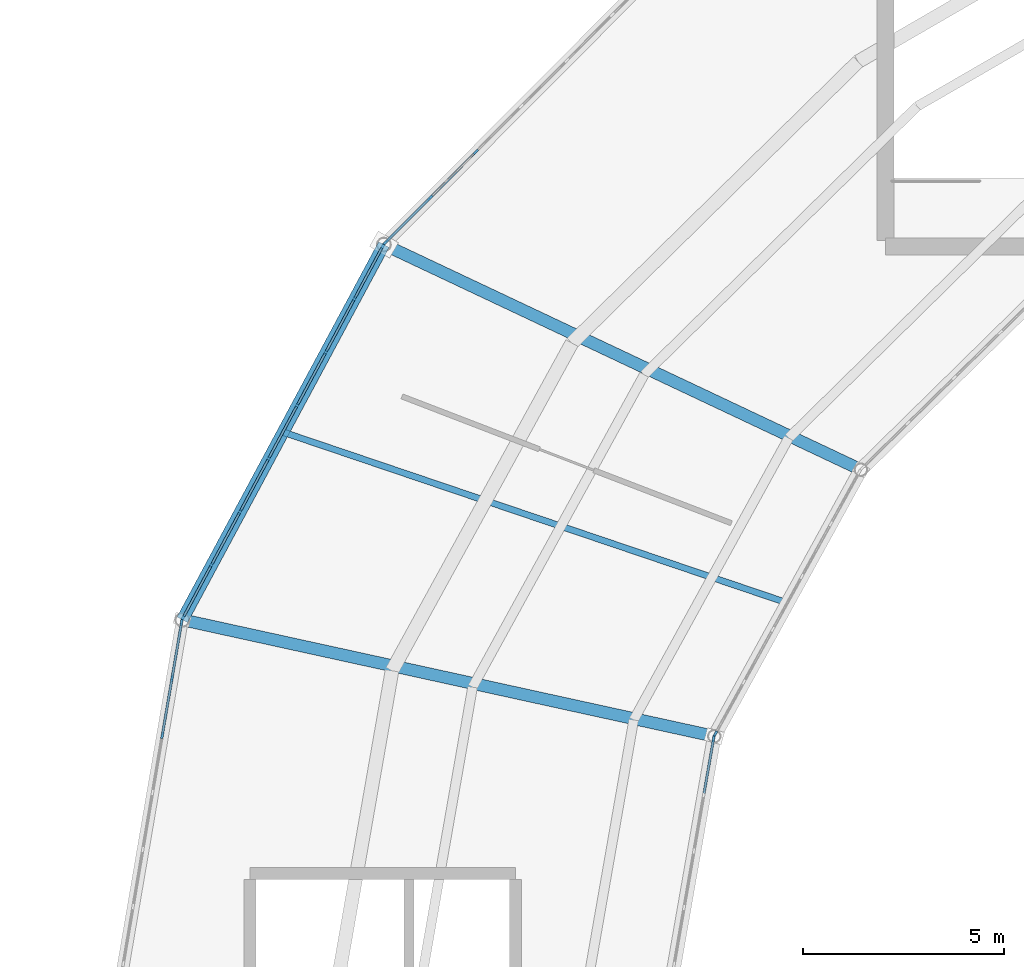
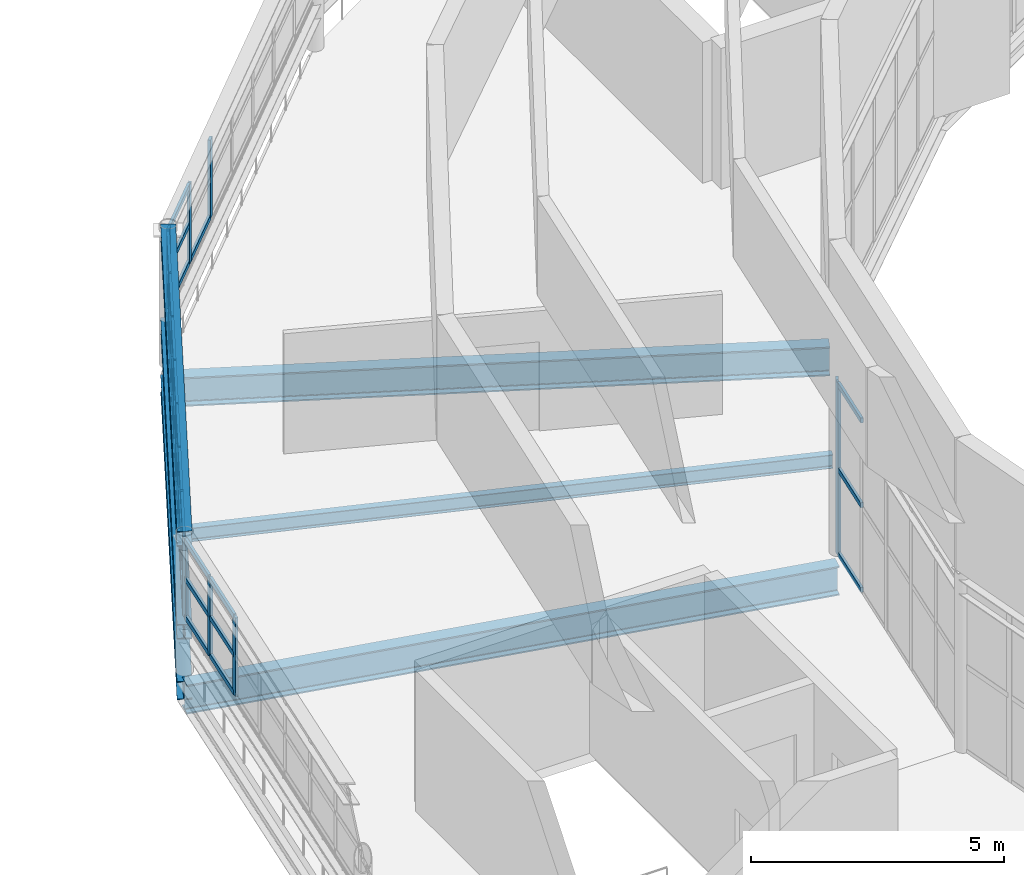
# One storey, part 42 of 123: 50 members, 6 beams, 5 elements without a shape of their own.
"""IFC4 building model written with IfcOpenShell, lengths in metres."""

from ifc_helpers import new_model, si_unit, direction, frame, origin, origin_2d, place, context, subcontext, project, spatial, rectangle, i_section, extrude, material, material_profile, profile_set, type_object, element, aggregate, save


model = new_model("IFC4")

# Units and contexts
model_context = context("Model", 3, precision=1e-05, world=origin(), true_north=direction((0.0, 1.0)))
body_context = subcontext(model_context, "Body", "Model", "MODEL_VIEW")
ifc_project = project(units=[si_unit("LENGTHUNIT", "METRE"), si_unit("AREAUNIT", "SQUARE_METRE"), si_unit("VOLUMEUNIT", "CUBIC_METRE"), si_unit("PLANEANGLEUNIT", "RADIAN"), si_unit("MASSUNIT", "GRAM", prefix="KILO")], contexts=[model_context])

# Site, building, storey
site_placement = place(None, origin())
site = spatial("IfcSite", under=ifc_project, at=site_placement, CompositionType="ELEMENT")
building_placement = place(site_placement, origin())
building = spatial("IfcBuilding", under=site, at=building_placement, Name="Kildeholm Park Wholesale Market", CompositionType="ELEMENT")
storey_placement = place(building_placement, frame((0.0, 0.0, 9.60009765625)))
storey = spatial("IfcBuildingStorey", under=building, at=storey_placement, Name="L02", CompositionType="ELEMENT", Elevation=9.60009765625)

# Beams
ifc_material_1 = material(Name="Steel S355", Category="steel")
ifc_material_profile_1 = material_profile(ifc_material_1, i_section(OverallWidth=0.300048828125, OverallDepth=0.699951171875, WebThickness=0.01708984375, FlangeThickness=0.031982421875, FilletRadius=0.027099609375, at=origin_2d()), Name="HEB 700")
ifc_profile_set_1 = profile_set([ifc_material_profile_1], Name="Steel S355")
beam_type_1 = type_object("IfcBeamType", Name="Beam B-G01 HEB 700", PredefinedType="BEAM", material=ifc_profile_set_1)
beam_1_placement = place(storey_placement, frame((67.389892578125, 103.25, -0.60009765625), z_axis=(-0.904317894242, 0.426859632846, 0.0), x_axis=(-0.426859632846, -0.904317894242, 0.0)))
element("IfcBeam", 1, at=beam_1_placement, inside=storey, type_object=beam_type_1, Name="Beam BM-V1-L02-R1-10 BM-0091", PredefinedType="BEAM", context=body_context, shape_type="SweptSolid", body=[
    extrude(i_section(OverallWidth=0.300048828125, OverallDepth=0.699951171875, WebThickness=0.01708984375, FlangeThickness=0.031982421875, FilletRadius=0.027099609375, at=origin_2d()), origin(), (0.0, 0.0, 1.0), 13.119384765625),
])
beam_2_placement = place(storey_placement, frame((63.743896484375, 96.617919921875, -0.60009765625), z_axis=(-0.976846137752, 0.213943037181, 0.0), x_axis=(-0.213943037181, -0.976846137752, 0.0)))
element("IfcBeam", 2, at=beam_2_placement, inside=storey, type_object=beam_type_1, Name="Beam BM-V1-L02-R1-11 BM-0101", PredefinedType="BEAM", context=body_context, shape_type="SweptSolid", body=[
    extrude(i_section(OverallWidth=0.300048828125, OverallDepth=0.699951171875, WebThickness=0.01708984375, FlangeThickness=0.031982421875, FilletRadius=0.027099609375, at=origin_2d()), origin(), (0.0, 0.0, 1.0), 13.546630859375),
])
ifc_material_profile_2 = material_profile(ifc_material_1, i_section(OverallWidth=0.300048828125, OverallDepth=0.35009765625, WebThickness=0.010009765625, FlangeThickness=0.017578125, FilletRadius=0.027099609375, at=origin_2d()), Name="HEA 360")
ifc_profile_set_2 = profile_set([ifc_material_profile_2], Name="Steel S355")
beam_type_2 = type_object("IfcBeamType", Name="Beam B-R01 HEA 360", PredefinedType="BEAM", material=ifc_profile_set_2)
beam_3_placement = place(storey_placement, frame((55.52587890625, 108.85009765625, 0.94775390625), z_axis=(-0.473287580572, -0.880907978211, 0.0), x_axis=(0.880907978211, -0.473287580572, 0.0)))
element("IfcBeam", 3, at=beam_3_placement, inside=storey, type_object=beam_type_2, Name="Beam BM-V1-S1IN-10 BM-0281", PredefinedType="BEAM", context=body_context, shape_type="SweptSolid", body=[
    extrude(i_section(OverallWidth=0.300048828125, OverallDepth=0.35009765625, WebThickness=0.010009765625, FlangeThickness=0.017578125, FilletRadius=0.027099609375, at=origin_2d()), origin(), (0.0, 0.0, 1.0), 10.595947265625),
])
ifc_material_profile_3 = material_profile(ifc_material_1, i_section(OverallWidth=0.300048828125, OverallDepth=0.43994140625, WebThickness=0.011474609375, FlangeThickness=0.02099609375, FilletRadius=0.027099609375, at=origin_2d()), Name="HEA 450")
ifc_profile_set_3 = profile_set([ifc_material_profile_3], Name="Steel S355")
beam_type_3 = type_object("IfcBeamType", Name="Beam B-R02 HEA 450", PredefinedType="BEAM", material=ifc_profile_set_3)
beam_4_placement = place(storey_placement, frame((55.52587890625, 108.85009765625, -0.47412109375), z_axis=(-0.473287580572, -0.880907978211, 0.0), x_axis=(0.880907978211, -0.473287580572, 0.0)))
element("IfcBeam", 4, at=beam_4_placement, inside=storey, type_object=beam_type_3, Name="Beam BM-V1-L02-CM-10 BM-0097", PredefinedType="BEAM", context=body_context, shape_type="SweptSolid", body=[
    extrude(i_section(OverallWidth=0.300048828125, OverallDepth=0.43994140625, WebThickness=0.011474609375, FlangeThickness=0.02099609375, FilletRadius=0.027099609375, at=origin_2d()), origin(), (0.0, 0.0, 1.0), 10.595947265625),
])
ifc_material_profile_4 = material_profile(ifc_material_1, i_section(OverallWidth=0.300048828125, OverallDepth=0.360107421875, WebThickness=0.012451171875, FlangeThickness=0.0224609375, FilletRadius=0.027099609375, at=origin_2d()), Name="HEB 360")
ifc_profile_set_4 = profile_set([ifc_material_profile_4], Name="Steel S355")
beam_type_4 = type_object("IfcBeamType", Name="Beam B-R03 HEB 360", PredefinedType="BEAM", material=ifc_profile_set_4)
beam_5_placement = place(storey_placement, frame((55.52587890625, 108.85009765625, 3.190673828125), z_axis=(-0.473287580572, -0.880907978211, 0.0), x_axis=(0.880907978211, -0.473287580572, 0.0)))
element("IfcBeam", 5, at=beam_5_placement, inside=storey, type_object=beam_type_4, Name="Beam BM-V1-RF-M1-10 BM-0282", PredefinedType="BEAM", context=body_context, shape_type="SweptSolid", body=[
    extrude(i_section(OverallWidth=0.300048828125, OverallDepth=0.360107421875, WebThickness=0.012451171875, FlangeThickness=0.0224609375, FilletRadius=0.027099609375, at=origin_2d()), origin(), (0.0, 0.0, 1.0), 10.595947265625),
])
ifc_material_profile_5 = material_profile(ifc_material_1, i_section(OverallWidth=0.159912109375, OverallDepth=0.330078125, WebThickness=0.007568359375, FlangeThickness=0.011474609375, FilletRadius=0.01806640625, at=origin_2d()), Name="IPE 330")
ifc_profile_set_5 = profile_set([ifc_material_profile_5], Name="Steel S355")
beam_type_5 = type_object("IfcBeamType", Name="Beam J-03 IPE 330", PredefinedType="JOIST", material=ifc_profile_set_5)
beam_6_placement = place(storey_placement, frame((65.548095703125, 99.9404296875, -0.4150390625), z_axis=(-0.947177362485, 0.320710218103, 0.0), x_axis=(-0.320710218103, -0.947177362485, 0.0)))
element("IfcBeam", 6, at=beam_6_placement, inside=storey, type_object=beam_type_5, Name="Beam JT-V1-L02-10 BM-0099", PredefinedType="JOIST", context=body_context, shape_type="SweptSolid", body=[
    extrude(i_section(OverallWidth=0.159912109375, OverallDepth=0.330078125, WebThickness=0.007568359375, FlangeThickness=0.011474609375, FilletRadius=0.01806640625, at=origin_2d()), origin(), (0.0, 0.0, 1.0), 13.20849609375),
])

# Curtain wall, members
ifc_material_2 = material(Name="Anodised aluminium and low-E double-glazed glass", Category="aluminium")
curtain_wall_type = type_object("IfcCurtainWallType", Name="Clerestory daylight stick curtain wall CW-02", PredefinedType="NOTDEFINED", material=ifc_material_2)
curtain_wall_1_placement = place(storey_placement, origin())
curtain_wall_1 = element("IfcCurtainWall", 7, at=curtain_wall_1_placement, inside=storey, type_object=curtain_wall_type, Name="Curtain wall CW-V1-CL-09 CW-0045", PredefinedType="NOTDEFINED")
ifc_material_3 = material(Name="Anodised aluminium", Category="aluminium")
ifc_material_profile_6 = material_profile(ifc_material_3, rectangle(XDim=0.06005859375, YDim=0.14990234375, at=origin_2d()), Name="CWM 60x150")
ifc_profile_set_6 = profile_set([ifc_material_profile_6], Name="Anodised aluminium")
member_type_1 = type_object("IfcMemberType", Name="Curtain-wall mullion CWM-3 CWM 60x150", PredefinedType="MULLION", material=ifc_profile_set_6)
member_1_placement = place(storey_placement, frame((57.812255859375, 111.155029296875, 1.349853515625), z_axis=(0.0, 0.0, 1.0), x_axis=(0.708796820959, -0.705412692399, 0.0)))
member_1 = element("IfcMember", 8, at=member_1_placement, type_object=member_type_1, Name="CW-02 mullion 6 MEM-1659", PredefinedType="MULLION", context=body_context, shape_type="SweptSolid", body=[
    extrude(rectangle(XDim=0.06005859375, YDim=0.14990234375, at=origin_2d()), origin(), (0.0, 0.0, 1.0), 1.900146484375),
])
member_2_placement = place(storey_placement, frame((56.6806640625, 110.01806640625, 1.349853515625), z_axis=(0.0, 0.0, 1.0), x_axis=(0.708796820959, -0.705412692399, 0.0)))
member_2 = element("IfcMember", 9, at=member_2_placement, type_object=member_type_1, Name="CW-02 mullion 7 MEM-1660", PredefinedType="MULLION", context=body_context, shape_type="SweptSolid", body=[
    extrude(rectangle(XDim=0.06005859375, YDim=0.14990234375, at=origin_2d()), origin(), (0.0, 0.0, 1.0), 1.900146484375),
])
member_3_placement = place(storey_placement, frame((55.570068359375, 108.90234375, 1.349853515625), z_axis=(0.0, 0.0, 1.0), x_axis=(0.708796820959, -0.705412692399, 0.0)))
member_3 = element("IfcMember", 10, at=member_3_placement, type_object=member_type_1, Name="CW-02 mullion 8 MEM-1661", PredefinedType="MULLION", context=body_context, shape_type="SweptSolid", body=[
    extrude(rectangle(XDim=0.06005859375, YDim=0.14990234375, at=origin_2d()), origin(), (0.0, 0.0, 1.0), 1.900146484375),
])

curtain_wall_2_placement = place(storey_placement, origin())
curtain_wall_2 = element("IfcCurtainWall", 11, at=curtain_wall_2_placement, inside=storey, type_object=curtain_wall_type, Name="Curtain wall CW-V1-CL-10 CW-0050", PredefinedType="NOTDEFINED")
member_4_placement = place(storey_placement, frame((55.48681640625, 108.79052734375, 1.349853515625), z_axis=(0.0, 0.0, 1.0), x_axis=(0.880879905062, -0.473339828092, 0.0)))
member_4 = element("IfcMember", 12, at=member_4_placement, type_object=member_type_1, Name="CW-02 mullion 1 MEM-1779", PredefinedType="MULLION", context=body_context, shape_type="SweptSolid", body=[
    extrude(rectangle(XDim=0.06005859375, YDim=0.14990234375, at=origin_2d()), origin(), (0.0, 0.0, 1.0), 1.900146484375),
])
member_5_placement = place(storey_placement, frame((54.789794921875, 107.49365234375, 1.349853515625), z_axis=(0.0, 0.0, 1.0), x_axis=(0.880879905062, -0.473339828092, 0.0)))
member_5 = element("IfcMember", 13, at=member_5_placement, type_object=member_type_1, Name="CW-02 mullion 2 MEM-1780", PredefinedType="MULLION", context=body_context, shape_type="SweptSolid", body=[
    extrude(rectangle(XDim=0.06005859375, YDim=0.14990234375, at=origin_2d()), origin(), (0.0, 0.0, 1.0), 1.900146484375),
])
member_6_placement = place(storey_placement, frame((54.07861328125, 106.170166015625, 1.349853515625), z_axis=(0.0, 0.0, 1.0), x_axis=(0.880879905062, -0.473339828092, 0.0)))
member_6 = element("IfcMember", 14, at=member_6_placement, type_object=member_type_1, Name="CW-02 mullion 3 MEM-1781", PredefinedType="MULLION", context=body_context, shape_type="SweptSolid", body=[
    extrude(rectangle(XDim=0.06005859375, YDim=0.14990234375, at=origin_2d()), origin(), (0.0, 0.0, 1.0), 1.900146484375),
])
member_7_placement = place(storey_placement, frame((53.36767578125, 104.8466796875, 1.349853515625), z_axis=(0.0, 0.0, 1.0), x_axis=(0.880879905062, -0.473339828092, 0.0)))
member_7 = element("IfcMember", 15, at=member_7_placement, type_object=member_type_1, Name="CW-02 mullion 4 MEM-1782", PredefinedType="MULLION", context=body_context, shape_type="SweptSolid", body=[
    extrude(rectangle(XDim=0.06005859375, YDim=0.14990234375, at=origin_2d()), origin(), (0.0, 0.0, 1.0), 1.900146484375),
])
member_8_placement = place(storey_placement, frame((52.656494140625, 103.523193359375, 1.349853515625), z_axis=(0.0, 0.0, 1.0), x_axis=(0.880879905062, -0.473339828092, 0.0)))
member_8 = element("IfcMember", 16, at=member_8_placement, type_object=member_type_1, Name="CW-02 mullion 5 MEM-1783", PredefinedType="MULLION", context=body_context, shape_type="SweptSolid", body=[
    extrude(rectangle(XDim=0.06005859375, YDim=0.14990234375, at=origin_2d()), origin(), (0.0, 0.0, 1.0), 1.900146484375),
])
member_9_placement = place(storey_placement, frame((51.9453125, 102.199951171875, 1.349853515625), z_axis=(0.0, 0.0, 1.0), x_axis=(0.880879905062, -0.473339828092, 0.0)))
member_9 = element("IfcMember", 17, at=member_9_placement, type_object=member_type_1, Name="CW-02 mullion 6 MEM-1784", PredefinedType="MULLION", context=body_context, shape_type="SweptSolid", body=[
    extrude(rectangle(XDim=0.06005859375, YDim=0.14990234375, at=origin_2d()), origin(), (0.0, 0.0, 1.0), 1.900146484375),
])
member_10_placement = place(storey_placement, frame((51.234130859375, 100.87646484375, 1.349853515625), z_axis=(0.0, 0.0, 1.0), x_axis=(0.880879905062, -0.473339828092, 0.0)))
member_10 = element("IfcMember", 18, at=member_10_placement, type_object=member_type_1, Name="CW-02 mullion 7 MEM-1785", PredefinedType="MULLION", context=body_context, shape_type="SweptSolid", body=[
    extrude(rectangle(XDim=0.06005859375, YDim=0.14990234375, at=origin_2d()), origin(), (0.0, 0.0, 1.0), 1.900146484375),
])
member_11_placement = place(storey_placement, frame((50.537109375, 99.579345703125, 1.349853515625), z_axis=(0.0, 0.0, 1.0), x_axis=(0.880879905062, -0.473339828092, 0.0)))
member_11 = element("IfcMember", 19, at=member_11_placement, type_object=member_type_1, Name="CW-02 mullion 8 MEM-1786", PredefinedType="MULLION", context=body_context, shape_type="SweptSolid", body=[
    extrude(rectangle(XDim=0.06005859375, YDim=0.14990234375, at=origin_2d()), origin(), (0.0, 0.0, 1.0), 1.900146484375),
])

# Curtain wall, member
curtain_wall_3_placement = place(storey_placement, origin())
curtain_wall_3 = element("IfcCurtainWall", 20, at=curtain_wall_3_placement, inside=storey, type_object=curtain_wall_type, Name="Curtain wall CW-V1-IN2-10 CW-0053", PredefinedType="NOTDEFINED")
member_12_placement = place(storey_placement, frame((63.771484375, 96.68017578125, 0.0), z_axis=(0.0, 0.0, 1.0), x_axis=(0.876308922506, -0.481749595055, 0.0)))
member_12 = element("IfcMember", 21, at=member_12_placement, type_object=member_type_1, Name="CW-02 mullion 6 MEM-1855", PredefinedType="MULLION", context=body_context, shape_type="SweptSolid", body=[
    extrude(rectangle(XDim=0.06005859375, YDim=0.14990234375, at=origin_2d()), origin(), (0.0, 0.0, 1.0), 4.14990234375),
])
aggregate(curtain_wall_3, [member_12])

# Curtain wall, members
curtain_wall_4_placement = place(storey_placement, origin())
curtain_wall_4 = element("IfcCurtainWall", 22, at=curtain_wall_4_placement, inside=storey, type_object=curtain_wall_type, Name="Curtain wall CW-V1-CL-11 CW-0055", PredefinedType="NOTDEFINED")
member_13_placement = place(storey_placement, frame((50.491943359375, 99.448486328125, 1.349853515625), z_axis=(0.0, 0.0, 1.0), x_axis=(0.985732010437, -0.168322320564, 0.0)))
member_13 = element("IfcMember", 23, at=member_13_placement, type_object=member_type_1, Name="CW-02 mullion 1 MEM-1904", PredefinedType="MULLION", context=body_context, shape_type="SweptSolid", body=[
    extrude(rectangle(XDim=0.06005859375, YDim=0.14990234375, at=origin_2d()), origin(), (0.0, 0.0, 1.0), 1.900146484375),
])
member_14_placement = place(storey_placement, frame((50.254638671875, 98.058349609375, 1.349853515625), z_axis=(0.0, 0.0, 1.0), x_axis=(0.985732010437, -0.168322320564, 0.0)))
member_14 = element("IfcMember", 24, at=member_14_placement, type_object=member_type_1, Name="CW-02 mullion 2 MEM-1905", PredefinedType="MULLION", context=body_context, shape_type="SweptSolid", body=[
    extrude(rectangle(XDim=0.06005859375, YDim=0.14990234375, at=origin_2d()), origin(), (0.0, 0.0, 1.0), 1.900146484375),
])
member_15_placement = place(storey_placement, frame((50.01220703125, 96.638671875, 1.349853515625), z_axis=(0.0, 0.0, 1.0), x_axis=(0.985732010437, -0.168322320564, 0.0)))
member_15 = element("IfcMember", 25, at=member_15_placement, type_object=member_type_1, Name="CW-02 mullion 3 MEM-1906", PredefinedType="MULLION", context=body_context, shape_type="SweptSolid", body=[
    extrude(rectangle(XDim=0.06005859375, YDim=0.14990234375, at=origin_2d()), origin(), (0.0, 0.0, 1.0), 1.900146484375),
])

# Curtain wall, member
curtain_wall_5_placement = place(storey_placement, origin())
curtain_wall_5 = element("IfcCurtainWall", 26, at=curtain_wall_5_placement, inside=storey, type_object=curtain_wall_type, Name="Curtain wall CW-V1-IN2-11 CW-0058", PredefinedType="NOTDEFINED")
member_16_placement = place(storey_placement, frame((63.724853515625, 96.549560546875, 0.0), z_axis=(0.0, 0.0, 1.0), x_axis=(0.985073802851, -0.172132515628, 0.0)))
member_16 = element("IfcMember", 27, at=member_16_placement, type_object=member_type_1, Name="CW-02 mullion 1 MEM-1975", PredefinedType="MULLION", context=body_context, shape_type="SweptSolid", body=[
    extrude(rectangle(XDim=0.06005859375, YDim=0.14990234375, at=origin_2d()), origin(), (0.0, 0.0, 1.0), 4.14990234375),
])

# Member
ifc_material_profile_7 = material_profile(ifc_material_3, rectangle(XDim=0.06005859375, YDim=0.1201171875, at=origin_2d()), Name="CWT 60x120")
ifc_profile_set_7 = profile_set([ifc_material_profile_7], Name="Anodised aluminium")
member_type_2 = type_object("IfcMemberType", Name="Curtain-wall transom CWT-3 CWT 60x120", PredefinedType="USERDEFINED", material=ifc_profile_set_7)
member_17_placement = place(storey_placement, frame((57.791015625, 111.1337890625, 1.3798828125), z_axis=(-0.705444776486, -0.708764888612, 0.0), x_axis=(0.708764888612, -0.705444776486, 0.0)))
member_17 = element("IfcMember", 28, at=member_17_placement, type_object=member_type_2, Name="CW-02 transom 6.1 MEM-1677", ObjectType="TRANSOM", PredefinedType="USERDEFINED", context=body_context, shape_type="SweptSolid", body=[
    extrude(rectangle(XDim=0.06005859375, YDim=0.1201171875, at=origin_2d()), origin(), (0.0, 0.0, 1.0), 1.544189453125),
])

member_18_placement = place(storey_placement, frame((56.659423828125, 109.996826171875, 1.3798828125), z_axis=(-0.705411766229, -0.708797742707, 0.0), x_axis=(0.708797742707, -0.705411766229, 0.0)))
member_18 = element("IfcMember", 29, at=member_18_placement, type_object=member_type_2, Name="CW-02 transom 7.1 MEM-1680", ObjectType="TRANSOM", PredefinedType="USERDEFINED", context=body_context, shape_type="SweptSolid", body=[
    extrude(rectangle(XDim=0.06005859375, YDim=0.1201171875, at=origin_2d()), origin(), (0.0, 0.0, 1.0), 1.51416015625),
])

member_19_placement = place(storey_placement, frame((56.659423828125, 109.996826171875, 2.2998046875), z_axis=(-0.705411766229, -0.708797742707, 0.0), x_axis=(0.708797742707, -0.705411766229, 0.0)))
member_19 = element("IfcMember", 30, at=member_19_placement, type_object=member_type_2, Name="CW-02 transom 7.2 MEM-1681", ObjectType="TRANSOM", PredefinedType="USERDEFINED", context=body_context, shape_type="SweptSolid", body=[
    extrude(rectangle(XDim=0.06005859375, YDim=0.1201171875, at=origin_2d()), origin(), (0.0, 0.0, 1.0), 1.51416015625),
])

member_20_placement = place(storey_placement, frame((56.659423828125, 109.996826171875, 3.219970703125), z_axis=(-0.705411766229, -0.708797742707, 0.0), x_axis=(0.708797742707, -0.705411766229, 0.0)))
member_20 = element("IfcMember", 31, at=member_20_placement, type_object=member_type_2, Name="CW-02 transom 7.3 MEM-1682", ObjectType="TRANSOM", PredefinedType="USERDEFINED", context=body_context, shape_type="SweptSolid", body=[
    extrude(rectangle(XDim=0.06005859375, YDim=0.1201171875, at=origin_2d()), origin(), (0.0, 0.0, 1.0), 1.51416015625),
])

aggregate(curtain_wall_1, [member_1, member_2, member_3, member_17, member_18, member_19, member_20])

member_21_placement = place(storey_placement, frame((55.47265625, 108.76416015625, 1.3798828125), z_axis=(-0.473429702928, -0.88083160501, 0.0), x_axis=(0.88083160501, -0.473429702928, 0.0)))
member_21 = element("IfcMember", 32, at=member_21_placement, type_object=member_type_2, Name="CW-02 transom 1.1 MEM-1787", ObjectType="TRANSOM", PredefinedType="USERDEFINED", context=body_context, shape_type="SweptSolid", body=[
    extrude(rectangle(XDim=0.06005859375, YDim=0.1201171875, at=origin_2d()), origin(), (0.0, 0.0, 1.0), 1.412353515625),
])

member_22_placement = place(storey_placement, frame((55.47265625, 108.76416015625, 2.2998046875), z_axis=(-0.473429702928, -0.88083160501, 0.0), x_axis=(0.88083160501, -0.473429702928, 0.0)))
member_22 = element("IfcMember", 33, at=member_22_placement, type_object=member_type_2, Name="CW-02 transom 1.2 MEM-1788", ObjectType="TRANSOM", PredefinedType="USERDEFINED", context=body_context, shape_type="SweptSolid", body=[
    extrude(rectangle(XDim=0.06005859375, YDim=0.1201171875, at=origin_2d()), origin(), (0.0, 0.0, 1.0), 1.412353515625),
])

member_23_placement = place(storey_placement, frame((55.47265625, 108.76416015625, 3.219970703125), z_axis=(-0.473429702928, -0.88083160501, 0.0), x_axis=(0.88083160501, -0.473429702928, 0.0)))
member_23 = element("IfcMember", 34, at=member_23_placement, type_object=member_type_2, Name="CW-02 transom 1.3 MEM-1789", ObjectType="TRANSOM", PredefinedType="USERDEFINED", context=body_context, shape_type="SweptSolid", body=[
    extrude(rectangle(XDim=0.06005859375, YDim=0.1201171875, at=origin_2d()), origin(), (0.0, 0.0, 1.0), 1.412353515625),
])

member_24_placement = place(storey_placement, frame((54.775634765625, 107.467041015625, 1.3798828125), z_axis=(-0.473292074574, -0.880905563693, 0.0), x_axis=(0.880905563693, -0.473292074574, 0.0)))
member_24 = element("IfcMember", 35, at=member_24_placement, type_object=member_type_2, Name="CW-02 transom 2.1 MEM-1790", ObjectType="TRANSOM", PredefinedType="USERDEFINED", context=body_context, shape_type="SweptSolid", body=[
    extrude(rectangle(XDim=0.06005859375, YDim=0.1201171875, at=origin_2d()), origin(), (0.0, 0.0, 1.0), 1.4423828125),
])

member_25_placement = place(storey_placement, frame((54.775634765625, 107.467041015625, 2.2998046875), z_axis=(-0.473292074574, -0.880905563693, 0.0), x_axis=(0.880905563693, -0.473292074574, 0.0)))
member_25 = element("IfcMember", 36, at=member_25_placement, type_object=member_type_2, Name="CW-02 transom 2.2 MEM-1791", ObjectType="TRANSOM", PredefinedType="USERDEFINED", context=body_context, shape_type="SweptSolid", body=[
    extrude(rectangle(XDim=0.06005859375, YDim=0.1201171875, at=origin_2d()), origin(), (0.0, 0.0, 1.0), 1.4423828125),
])

member_26_placement = place(storey_placement, frame((54.775634765625, 107.467041015625, 3.219970703125), z_axis=(-0.473292074574, -0.880905563693, 0.0), x_axis=(0.880905563693, -0.473292074574, 0.0)))
member_26 = element("IfcMember", 37, at=member_26_placement, type_object=member_type_2, Name="CW-02 transom 2.3 MEM-1792", ObjectType="TRANSOM", PredefinedType="USERDEFINED", context=body_context, shape_type="SweptSolid", body=[
    extrude(rectangle(XDim=0.06005859375, YDim=0.1201171875, at=origin_2d()), origin(), (0.0, 0.0, 1.0), 1.4423828125),
])

member_27_placement = place(storey_placement, frame((54.064453125, 106.143798828125, 1.3798828125), z_axis=(-0.473221508617, -0.880943473659, 0.0), x_axis=(0.880943473659, -0.473221508617, 0.0)))
member_27 = element("IfcMember", 38, at=member_27_placement, type_object=member_type_2, Name="CW-02 transom 3.1 MEM-1793", ObjectType="TRANSOM", PredefinedType="USERDEFINED", context=body_context, shape_type="SweptSolid", body=[
    extrude(rectangle(XDim=0.06005859375, YDim=0.1201171875, at=origin_2d()), origin(), (0.0, 0.0, 1.0), 1.4423828125),
])

member_28_placement = place(storey_placement, frame((54.064453125, 106.143798828125, 2.2998046875), z_axis=(-0.473221508617, -0.880943473659, 0.0), x_axis=(0.880943473659, -0.473221508617, 0.0)))
member_28 = element("IfcMember", 39, at=member_28_placement, type_object=member_type_2, Name="CW-02 transom 3.2 MEM-1794", ObjectType="TRANSOM", PredefinedType="USERDEFINED", context=body_context, shape_type="SweptSolid", body=[
    extrude(rectangle(XDim=0.06005859375, YDim=0.1201171875, at=origin_2d()), origin(), (0.0, 0.0, 1.0), 1.4423828125),
])

member_29_placement = place(storey_placement, frame((54.064453125, 106.143798828125, 3.219970703125), z_axis=(-0.473221508617, -0.880943473659, 0.0), x_axis=(0.880943473659, -0.473221508617, 0.0)))
member_29 = element("IfcMember", 40, at=member_29_placement, type_object=member_type_2, Name="CW-02 transom 3.3 MEM-1795", ObjectType="TRANSOM", PredefinedType="USERDEFINED", context=body_context, shape_type="SweptSolid", body=[
    extrude(rectangle(XDim=0.06005859375, YDim=0.1201171875, at=origin_2d()), origin(), (0.0, 0.0, 1.0), 1.4423828125),
])

member_30_placement = place(storey_placement, frame((53.353271484375, 104.8203125, 1.3798828125), z_axis=(-0.473292074574, -0.880905563693, 0.0), x_axis=(0.880905563693, -0.473292074574, 0.0)))
member_30 = element("IfcMember", 41, at=member_30_placement, type_object=member_type_2, Name="CW-02 transom 4.1 MEM-1796", ObjectType="TRANSOM", PredefinedType="USERDEFINED", context=body_context, shape_type="SweptSolid", body=[
    extrude(rectangle(XDim=0.06005859375, YDim=0.1201171875, at=origin_2d()), origin(), (0.0, 0.0, 1.0), 1.4423828125),
])

member_31_placement = place(storey_placement, frame((53.353271484375, 104.8203125, 2.2998046875), z_axis=(-0.473292074574, -0.880905563693, 0.0), x_axis=(0.880905563693, -0.473292074574, 0.0)))
member_31 = element("IfcMember", 42, at=member_31_placement, type_object=member_type_2, Name="CW-02 transom 4.2 MEM-1797", ObjectType="TRANSOM", PredefinedType="USERDEFINED", context=body_context, shape_type="SweptSolid", body=[
    extrude(rectangle(XDim=0.06005859375, YDim=0.1201171875, at=origin_2d()), origin(), (0.0, 0.0, 1.0), 1.4423828125),
])

member_32_placement = place(storey_placement, frame((53.353271484375, 104.8203125, 3.219970703125), z_axis=(-0.473292074574, -0.880905563693, 0.0), x_axis=(0.880905563693, -0.473292074574, 0.0)))
member_32 = element("IfcMember", 43, at=member_32_placement, type_object=member_type_2, Name="CW-02 transom 4.3 MEM-1798", ObjectType="TRANSOM", PredefinedType="USERDEFINED", context=body_context, shape_type="SweptSolid", body=[
    extrude(rectangle(XDim=0.06005859375, YDim=0.1201171875, at=origin_2d()), origin(), (0.0, 0.0, 1.0), 1.4423828125),
])

member_33_placement = place(storey_placement, frame((52.642333984375, 103.496826171875, 1.3798828125), z_axis=(-0.473423415048, -0.880834984594, 0.0), x_axis=(0.880834984594, -0.473423415048, 0.0)))
member_33 = element("IfcMember", 44, at=member_33_placement, type_object=member_type_2, Name="CW-02 transom 5.1 MEM-1799", ObjectType="TRANSOM", PredefinedType="USERDEFINED", context=body_context, shape_type="SweptSolid", body=[
    extrude(rectangle(XDim=0.06005859375, YDim=0.1201171875, at=origin_2d()), origin(), (0.0, 0.0, 1.0), 1.4423828125),
])

member_34_placement = place(storey_placement, frame((52.642333984375, 103.496826171875, 2.2998046875), z_axis=(-0.473423415048, -0.880834984594, 0.0), x_axis=(0.880834984594, -0.473423415048, 0.0)))
member_34 = element("IfcMember", 45, at=member_34_placement, type_object=member_type_2, Name="CW-02 transom 5.2 MEM-1800", ObjectType="TRANSOM", PredefinedType="USERDEFINED", context=body_context, shape_type="SweptSolid", body=[
    extrude(rectangle(XDim=0.06005859375, YDim=0.1201171875, at=origin_2d()), origin(), (0.0, 0.0, 1.0), 1.4423828125),
])

member_35_placement = place(storey_placement, frame((52.642333984375, 103.496826171875, 3.219970703125), z_axis=(-0.473423415048, -0.880834984594, 0.0), x_axis=(0.880834984594, -0.473423415048, 0.0)))
member_35 = element("IfcMember", 46, at=member_35_placement, type_object=member_type_2, Name="CW-02 transom 5.3 MEM-1801", ObjectType="TRANSOM", PredefinedType="USERDEFINED", context=body_context, shape_type="SweptSolid", body=[
    extrude(rectangle(XDim=0.06005859375, YDim=0.1201171875, at=origin_2d()), origin(), (0.0, 0.0, 1.0), 1.4423828125),
])

member_36_placement = place(storey_placement, frame((51.93115234375, 102.17333984375, 1.3798828125), z_axis=(-0.473423415048, -0.880834984594, 0.0), x_axis=(0.880834984594, -0.473423415048, 0.0)))
member_36 = element("IfcMember", 47, at=member_36_placement, type_object=member_type_2, Name="CW-02 transom 6.1 MEM-1802", ObjectType="TRANSOM", PredefinedType="USERDEFINED", context=body_context, shape_type="SweptSolid", body=[
    extrude(rectangle(XDim=0.06005859375, YDim=0.1201171875, at=origin_2d()), origin(), (0.0, 0.0, 1.0), 1.4423828125),
])

member_37_placement = place(storey_placement, frame((51.93115234375, 102.17333984375, 2.2998046875), z_axis=(-0.473423415048, -0.880834984594, 0.0), x_axis=(0.880834984594, -0.473423415048, 0.0)))
member_37 = element("IfcMember", 48, at=member_37_placement, type_object=member_type_2, Name="CW-02 transom 6.2 MEM-1803", ObjectType="TRANSOM", PredefinedType="USERDEFINED", context=body_context, shape_type="SweptSolid", body=[
    extrude(rectangle(XDim=0.06005859375, YDim=0.1201171875, at=origin_2d()), origin(), (0.0, 0.0, 1.0), 1.4423828125),
])

member_38_placement = place(storey_placement, frame((51.93115234375, 102.17333984375, 3.219970703125), z_axis=(-0.473423415048, -0.880834984594, 0.0), x_axis=(0.880834984594, -0.473423415048, 0.0)))
member_38 = element("IfcMember", 49, at=member_38_placement, type_object=member_type_2, Name="CW-02 transom 6.3 MEM-1804", ObjectType="TRANSOM", PredefinedType="USERDEFINED", context=body_context, shape_type="SweptSolid", body=[
    extrude(rectangle(XDim=0.06005859375, YDim=0.1201171875, at=origin_2d()), origin(), (0.0, 0.0, 1.0), 1.4423828125),
])

member_39_placement = place(storey_placement, frame((51.219970703125, 100.85009765625, 1.3798828125), z_axis=(-0.473295580146, -0.880903680214, 0.0), x_axis=(0.880903680214, -0.473295580146, 0.0)))
member_39 = element("IfcMember", 50, at=member_39_placement, type_object=member_type_2, Name="CW-02 transom 7.1 MEM-1805", ObjectType="TRANSOM", PredefinedType="USERDEFINED", context=body_context, shape_type="SweptSolid", body=[
    extrude(rectangle(XDim=0.06005859375, YDim=0.1201171875, at=origin_2d()), origin(), (0.0, 0.0, 1.0), 1.412353515625),
])

member_40_placement = place(storey_placement, frame((51.219970703125, 100.85009765625, 2.2998046875), z_axis=(-0.473295580146, -0.880903680214, 0.0), x_axis=(0.880903680214, -0.473295580146, 0.0)))
member_40 = element("IfcMember", 51, at=member_40_placement, type_object=member_type_2, Name="CW-02 transom 7.2 MEM-1806", ObjectType="TRANSOM", PredefinedType="USERDEFINED", context=body_context, shape_type="SweptSolid", body=[
    extrude(rectangle(XDim=0.06005859375, YDim=0.1201171875, at=origin_2d()), origin(), (0.0, 0.0, 1.0), 1.412353515625),
])

member_41_placement = place(storey_placement, frame((51.219970703125, 100.85009765625, 3.219970703125), z_axis=(-0.473295580146, -0.880903680214, 0.0), x_axis=(0.880903680214, -0.473295580146, 0.0)))
member_41 = element("IfcMember", 52, at=member_41_placement, type_object=member_type_2, Name="CW-02 transom 7.3 MEM-1807", ObjectType="TRANSOM", PredefinedType="USERDEFINED", context=body_context, shape_type="SweptSolid", body=[
    extrude(rectangle(XDim=0.06005859375, YDim=0.1201171875, at=origin_2d()), origin(), (0.0, 0.0, 1.0), 1.412353515625),
])

aggregate(curtain_wall_2, [member_4, member_5, member_6, member_7, member_8, member_9, member_10, member_11, member_21, member_22, member_23, member_24, member_25, member_26, member_27, member_28, member_29, member_30, member_31, member_32, member_33, member_34, member_35, member_36, member_37, member_38, member_39, member_40, member_41])

member_42_placement = place(storey_placement, frame((50.48681640625, 99.4189453125, 1.3798828125), z_axis=(-0.168326457098, -0.985731304079, 0.0), x_axis=(0.985731304079, -0.168326457098, 0.0)))
member_42 = element("IfcMember", 53, at=member_42_placement, type_object=member_type_2, Name="CW-02 transom 1.1 MEM-1912", ObjectType="TRANSOM", PredefinedType="USERDEFINED", context=body_context, shape_type="SweptSolid", body=[
    extrude(rectangle(XDim=0.06005859375, YDim=0.1201171875, at=origin_2d()), origin(), (0.0, 0.0, 1.0), 1.350341796875),
])

member_43_placement = place(storey_placement, frame((50.48681640625, 99.4189453125, 2.2998046875), z_axis=(-0.168326457098, -0.985731304079, 0.0), x_axis=(0.985731304079, -0.168326457098, 0.0)))
member_43 = element("IfcMember", 54, at=member_43_placement, type_object=member_type_2, Name="CW-02 transom 1.2 MEM-1913", ObjectType="TRANSOM", PredefinedType="USERDEFINED", context=body_context, shape_type="SweptSolid", body=[
    extrude(rectangle(XDim=0.06005859375, YDim=0.1201171875, at=origin_2d()), origin(), (0.0, 0.0, 1.0), 1.350341796875),
])

member_44_placement = place(storey_placement, frame((50.48681640625, 99.4189453125, 3.219970703125), z_axis=(-0.168326457098, -0.985731304079, 0.0), x_axis=(0.985731304079, -0.168326457098, 0.0)))
member_44 = element("IfcMember", 55, at=member_44_placement, type_object=member_type_2, Name="CW-02 transom 1.3 MEM-1914", ObjectType="TRANSOM", PredefinedType="USERDEFINED", context=body_context, shape_type="SweptSolid", body=[
    extrude(rectangle(XDim=0.06005859375, YDim=0.1201171875, at=origin_2d()), origin(), (0.0, 0.0, 1.0), 1.350341796875),
])

member_45_placement = place(storey_placement, frame((50.24951171875, 98.02880859375, 1.3798828125), z_axis=(-0.168384490495, -0.985721392362, 0.0), x_axis=(0.985721392362, -0.168384490495, 0.0)))
member_45 = element("IfcMember", 56, at=member_45_placement, type_object=member_type_2, Name="CW-02 transom 2.1 MEM-1915", ObjectType="TRANSOM", PredefinedType="USERDEFINED", context=body_context, shape_type="SweptSolid", body=[
    extrude(rectangle(XDim=0.06005859375, YDim=0.1201171875, at=origin_2d()), origin(), (0.0, 0.0, 1.0), 1.38037109375),
])

member_46_placement = place(storey_placement, frame((50.24951171875, 98.02880859375, 2.2998046875), z_axis=(-0.168384490495, -0.985721392362, 0.0), x_axis=(0.985721392362, -0.168384490495, 0.0)))
member_46 = element("IfcMember", 57, at=member_46_placement, type_object=member_type_2, Name="CW-02 transom 2.2 MEM-1916", ObjectType="TRANSOM", PredefinedType="USERDEFINED", context=body_context, shape_type="SweptSolid", body=[
    extrude(rectangle(XDim=0.06005859375, YDim=0.1201171875, at=origin_2d()), origin(), (0.0, 0.0, 1.0), 1.38037109375),
])

member_47_placement = place(storey_placement, frame((50.24951171875, 98.02880859375, 3.219970703125), z_axis=(-0.168384490495, -0.985721392362, 0.0), x_axis=(0.985721392362, -0.168384490495, 0.0)))
member_47 = element("IfcMember", 58, at=member_47_placement, type_object=member_type_2, Name="CW-02 transom 2.3 MEM-1917", ObjectType="TRANSOM", PredefinedType="USERDEFINED", context=body_context, shape_type="SweptSolid", body=[
    extrude(rectangle(XDim=0.06005859375, YDim=0.1201171875, at=origin_2d()), origin(), (0.0, 0.0, 1.0), 1.38037109375),
])

aggregate(curtain_wall_4, [member_13, member_14, member_15, member_42, member_43, member_44, member_45, member_46, member_47])

member_48_placement = place(storey_placement, frame((63.7197265625, 96.519775390625, 0.02978515625), z_axis=(-0.172110548446, -0.98507764116, 0.0), x_axis=(0.98507764116, -0.172110548446, 0.0)))
member_48 = element("IfcMember", 59, at=member_48_placement, type_object=member_type_2, Name="CW-02 transom 1.1 MEM-1981", ObjectType="TRANSOM", PredefinedType="USERDEFINED", context=body_context, shape_type="SweptSolid", body=[
    extrude(rectangle(XDim=0.06005859375, YDim=0.1201171875, at=origin_2d()), origin(), (0.0, 0.0, 1.0), 1.339111328125),
])

member_49_placement = place(storey_placement, frame((63.7197265625, 96.519775390625, 2.074951171875), z_axis=(-0.172110548446, -0.98507764116, 0.0), x_axis=(0.98507764116, -0.172110548446, 0.0)))
member_49 = element("IfcMember", 60, at=member_49_placement, type_object=member_type_2, Name="CW-02 transom 1.2 MEM-1982", ObjectType="TRANSOM", PredefinedType="USERDEFINED", context=body_context, shape_type="SweptSolid", body=[
    extrude(rectangle(XDim=0.06005859375, YDim=0.1201171875, at=origin_2d()), origin(), (0.0, 0.0, 1.0), 1.339111328125),
])

member_50_placement = place(storey_placement, frame((63.7197265625, 96.519775390625, 4.119873046875), z_axis=(-0.172110548446, -0.98507764116, 0.0), x_axis=(0.98507764116, -0.172110548446, 0.0)))
member_50 = element("IfcMember", 61, at=member_50_placement, type_object=member_type_2, Name="CW-02 transom 1.3 MEM-1983", ObjectType="TRANSOM", PredefinedType="USERDEFINED", context=body_context, shape_type="SweptSolid", body=[
    extrude(rectangle(XDim=0.06005859375, YDim=0.1201171875, at=origin_2d()), origin(), (0.0, 0.0, 1.0), 1.339111328125),
])

aggregate(curtain_wall_5, [member_16, member_48, member_49, member_50])

save(model, "model.ifc")
